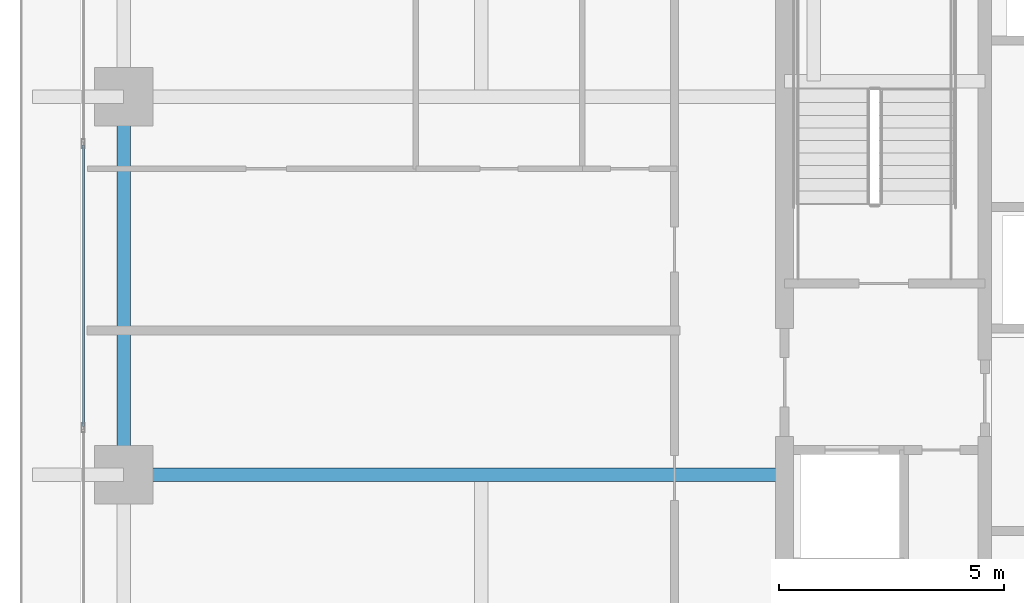
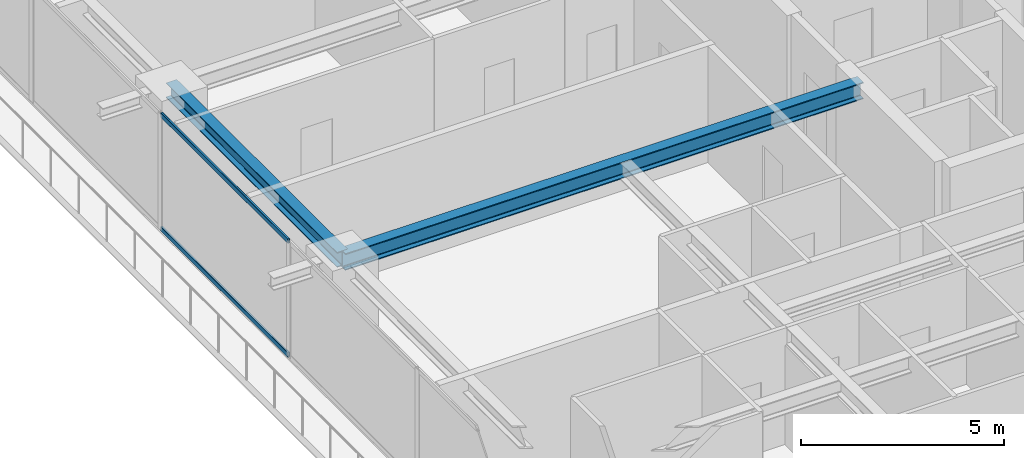
# One storey, part 8 of 38: 2 beams, 2 members, 1 element without a shape of its own.
"""IFC4 building model written with IfcOpenShell, lengths in metres."""

from ifc_helpers import new_model, si_unit, direction, frame, origin, origin_2d, place, context, subcontext, project, spatial, hollow_rectangle, i_section, extrude, source, transform, mapped, material, layer, layer_set, material_profile, profile_set, type_object, element, aggregate, save


model = new_model("IFC4")

# Units and contexts
model_context = context("Model", 3, precision=1e-05, world=origin(), true_north=direction((0.0, 1.0)))
body_context = subcontext(model_context, "Body", "Model", "MODEL_VIEW")
ifc_project = project(units=[si_unit("LENGTHUNIT", "METRE"), si_unit("AREAUNIT", "SQUARE_METRE"), si_unit("VOLUMEUNIT", "CUBIC_METRE"), si_unit("PLANEANGLEUNIT", "RADIAN"), si_unit("MASSUNIT", "GRAM", prefix="KILO")], contexts=[model_context])

# Site, building, storey
site_placement = place(None, origin())
site = spatial("IfcSite", under=ifc_project, at=site_placement, CompositionType="ELEMENT")
building_placement = place(site_placement, origin())
building = spatial("IfcBuilding", under=site, at=building_placement, Name="Serunith Strait Residences", CompositionType="ELEMENT")
storey_placement = place(building_placement, frame((0.0, 0.0, 176.39990234375)))
storey = spatial("IfcBuildingStorey", under=building, at=storey_placement, Name="L44", CompositionType="ELEMENT", Elevation=176.39990234375)

# Beams
ifc_material_1 = material(Name="Steel S355J2", Category="steel")
ifc_material_profile_1 = material_profile(ifc_material_1, i_section(OverallWidth=0.300048828125, OverallDepth=0.449951171875, WebThickness=0.013916015625, FlangeThickness=0.02587890625, FilletRadius=0.027099609375, at=origin_2d()), Name="HEB 450")
ifc_profile_set_1 = profile_set([ifc_material_profile_1], Name="Steel S355J2")
beam_type_1 = type_object("IfcBeamType", Name="BM-HEB450", PredefinedType="BEAM", material=ifc_profile_set_1)
shared_shape_1 = source(origin(), body_context, "Body", "SweptSolid", [
    extrude(i_section(OverallWidth=0.300048828125, OverallDepth=0.449951171875, WebThickness=0.013916015625, FlangeThickness=0.02587890625, FilletRadius=0.027099609375, at=origin_2d()), origin(), (0.0, 0.0, 1.0), 8.39990234375),
])
beam_1_placement = place(storey_placement, frame((8.699951171875, 29.39990234375, 3.26220703125), z_axis=(0.0, -1.0, 0.0), x_axis=(1.0, 0.0, 0.0)))
element("IfcBeam", 1, at=beam_1_placement, inside=storey, type_object=beam_type_1, Name="L44 Perimeter Ring Beam 14", PredefinedType="BEAM", context=body_context, shape_type="MappedRepresentation", body=[
    mapped(shared_shape_1, transform((0.0, 0.0, 0.0), scale=1.0)),
])
ifc_material_profile_2 = material_profile(ifc_material_1, i_section(OverallWidth=0.300048828125, OverallDepth=0.5, WebThickness=0.014404296875, FlangeThickness=0.028076171875, FilletRadius=0.027099609375, at=origin_2d()), Name="HEB 500")
ifc_profile_set_2 = profile_set([ifc_material_profile_2], Name="Steel S355J2")
beam_type_2 = type_object("IfcBeamType", Name="BM-HEB500", PredefinedType="BEAM", material=ifc_profile_set_2)
shared_shape_2 = source(origin(), body_context, "Body", "SweptSolid", [
    extrude(i_section(OverallWidth=0.300048828125, OverallDepth=0.5, WebThickness=0.014404296875, FlangeThickness=0.028076171875, FilletRadius=0.027099609375, at=origin_2d()), origin(), (0.0, 0.0, 1.0), 14.699951171875),
])
beam_2_placement = place(storey_placement, frame((23.39990234375, 21.0, 3.237060546875), z_axis=(-1.0, 0.0, 0.0), x_axis=(0.0, -1.0, 0.0)))
element("IfcBeam", 2, at=beam_2_placement, inside=storey, type_object=beam_type_2, Name="L44 Primary Floor Girder TC-W2", PredefinedType="BEAM", context=body_context, shape_type="MappedRepresentation", body=[
    mapped(shared_shape_2, transform((0.0, 0.0, 0.0), scale=1.0)),
])

# Curtain wall, members
ifc_material_2 = material(Name="Pale-Champagne Anodised Aluminium", Category="aluminium")
ifc_layer = layer(ifc_material_2, 0.199951171875, Name="Pale-Champagne Anodised Aluminium")
ifc_layer_set = layer_set([ifc_layer], Name="Pale-Champagne Anodised Aluminium")
curtain_wall_type = type_object("IfcCurtainWallType", Name="CW-SYS2", PredefinedType="NOTDEFINED", material=ifc_layer_set)
curtain_wall_placement = place(storey_placement, origin())
curtain_wall = element("IfcCurtainWall", 3, at=curtain_wall_placement, inside=storey, type_object=curtain_wall_type, Name="L44 W Unitised Fritted Curtain Wall", PredefinedType="NOTDEFINED")
ifc_material_profile_3 = material_profile(ifc_material_2, hollow_rectangle(XDim=0.06005859375, YDim=0.139892578125, WallThickness=0.00341796875, InnerFilletRadius=0.00537109375, OuterFilletRadius=0.0087890625, at=origin_2d()), Name="ALU 140x60x3.5")
ifc_profile_set_3 = profile_set([ifc_material_profile_3], Name="Pale-Champagne Anodised Aluminium")
member_type = type_object("IfcMemberType", Name="CW-SYS2-TRAN", PredefinedType="USERDEFINED", material=ifc_profile_set_3)
shared_shape_3 = source(origin(), body_context, "Body", "SweptSolid", [
    extrude(hollow_rectangle(XDim=0.06005859375, YDim=0.139892578125, WallThickness=0.00341796875, InnerFilletRadius=0.00537109375, OuterFilletRadius=0.0087890625, at=origin_2d()), origin(), (0.0, 0.0, 1.0), 6.25),
])
member_1_placement = place(storey_placement, frame((7.800048828125, 28.324951171875, 0.030029296875), z_axis=(0.0, -1.0, 0.0), x_axis=(1.0, 0.0, 0.0)))
member_1 = element("IfcMember", 4, at=member_1_placement, type_object=member_type, Name="CW-2 transom 3.1", ObjectType="TRANSOM", PredefinedType="USERDEFINED", context=body_context, shape_type="MappedRepresentation", body=[
    mapped(shared_shape_3, transform((0.0, 0.0, 0.0), scale=1.0)),
])
member_2_placement = place(storey_placement, frame((7.800048828125, 28.324951171875, 3.445068359375), z_axis=(0.0, -1.0, 0.0), x_axis=(1.0, 0.0, 0.0)))
member_2 = element("IfcMember", 5, at=member_2_placement, type_object=member_type, Name="CW-2 transom 3.2", ObjectType="TRANSOM", PredefinedType="USERDEFINED", context=body_context, shape_type="MappedRepresentation", body=[
    mapped(shared_shape_3, transform((0.0, 0.0, 0.0), scale=1.0)),
])
aggregate(curtain_wall, [member_1, member_2])

save(model, "model.ifc")
